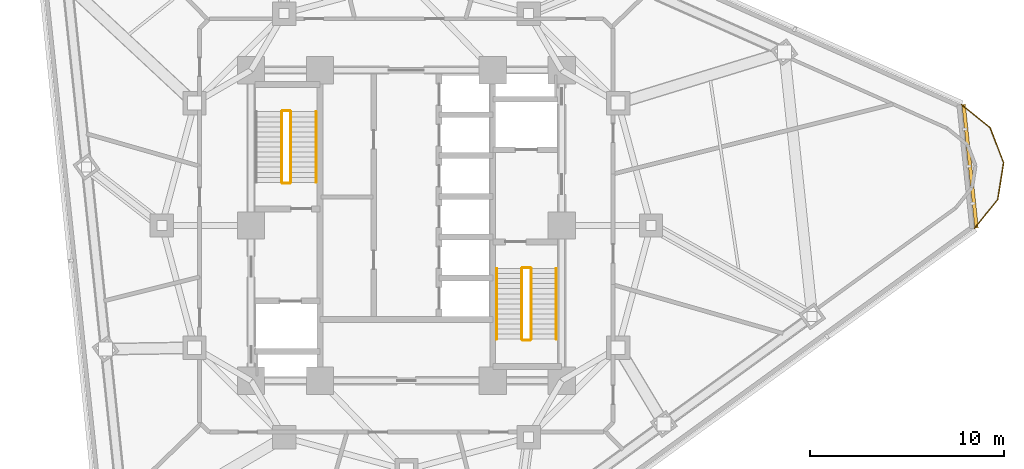
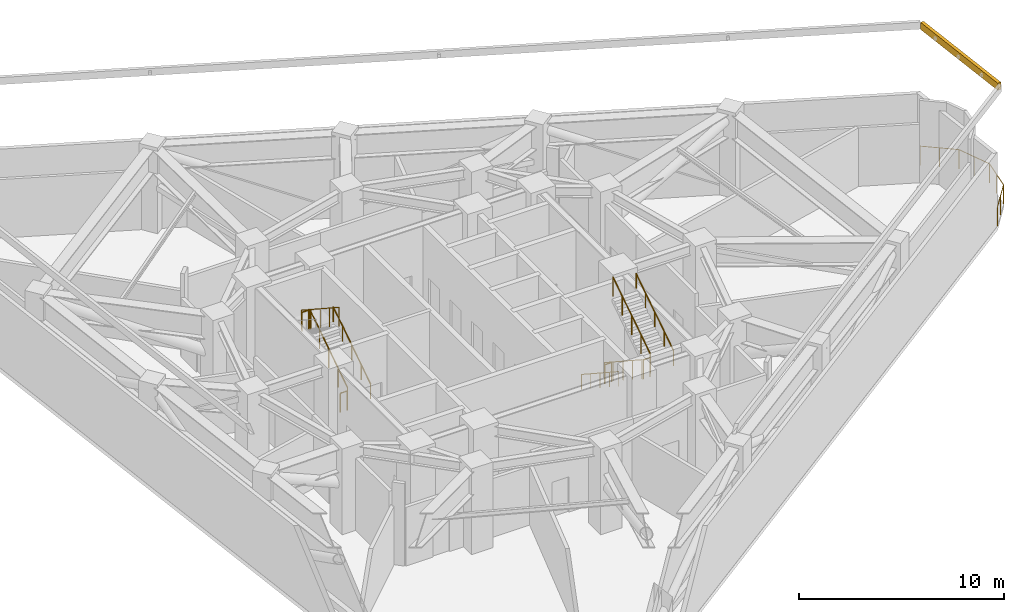
# One storey, part 9 of 10: 12 railings, 1 shading device.
"""IFC4 building model written with IfcOpenShell, lengths in metres."""

from ifc_helpers import new_model, si_unit, direction, frame, origin, origin_2d, place, context, subcontext, project, spatial, rectangle, circle, extrude, material, layer, layer_set, type_object, element, save


model = new_model("IFC4")

# Units and contexts
model_context = context("Model", 3, precision=1e-05, world=origin(), true_north=direction((0.0, 1.0)))
body_context = subcontext(model_context, "Body", "Model", "MODEL_VIEW")
ifc_project = project(units=[si_unit("LENGTHUNIT", "METRE"), si_unit("AREAUNIT", "SQUARE_METRE"), si_unit("VOLUMEUNIT", "CUBIC_METRE"), si_unit("PLANEANGLEUNIT", "RADIAN"), si_unit("MASSUNIT", "GRAM", prefix="KILO")], contexts=[model_context])

# Site, building, storey
site_placement = place(None, origin())
site = spatial("IfcSite", under=ifc_project, at=site_placement, CompositionType="ELEMENT")
building_placement = place(site_placement, origin())
building = spatial("IfcBuilding", under=site, at=building_placement, Name="Terralouvre Media Tower", CompositionType="ELEMENT")
storey_placement = place(building_placement, frame((0.0, 0.0, 149.5)))
storey = spatial("IfcBuildingStorey", under=building, at=storey_placement, Name="L38", CompositionType="ELEMENT", Elevation=149.5)

# Shading device
ifc_material_1 = material(Name="Extruded terracotta baguette sunshade louvres", Category="masonry")
shading_device_type = type_object("IfcShadingDeviceType", Name="Refuge Plant Acoustic Terracotta Louvre Grill TB-LV2", PredefinedType="JALOUSIE", material=ifc_material_1)
shading_device_placement = place(storey_placement, frame((29.041015625, 3.05224609375, 8.05810546875), z_axis=(0.0, 0.0, 1.0), x_axis=(-0.10452850319, 0.994521891172, 0.0)))
element("IfcShadingDevice", 1, at=shading_device_placement, inside=storey, type_object=shading_device_type, Name="CW-L38-C1 Refuge Acoustic Terracotta Louvre", PredefinedType="JALOUSIE", context=body_context, shape_type="SweptSolid", body=[
    extrude(rectangle(XDim=6.40869140625, YDim=0.179931640625, at=origin_2d()), origin(), (0.0, 0.0, 1.0), 0.419921875),
])

# Railings
ifc_material_2 = material(Name="Stainless steel 316 handrail and balustrade", Category="steel")
ifc_layer_1 = layer(ifc_material_2, 0.06005859375, Name="Roof Edge Safety Guardrail GR-ROOF1")
ifc_layer_set_1 = layer_set([ifc_layer_1], Name="Stainless steel 316 handrail and balustrade")
railing_type_1 = type_object("IfcRailingType", Name="Roof Edge Safety Guardrail GR-ROOF1", PredefinedType="GUARDRAIL", material=ifc_layer_set_1)
railing_1_placement = place(storey_placement, frame((29.261474609375, -0.144775390625, 0.0)))
element("IfcRailing", 2, at=railing_1_placement, inside=storey, type_object=railing_type_1, Name="L38 Wind-Corner Perimeter Safety Guardrail C1", PredefinedType="GUARDRAIL", context=body_context, shape_type="SweptSolid", body=[
    extrude(circle(Radius=0.02099609375, at=origin_2d()), frame((0.0, 0.0, 1.12890625), z_axis=(0.629487951206, 0.777010244004, 0.0), x_axis=(-0.777010244004, 0.629487951206, 0.0)), (0.0, 0.0, 1.0), 1.914794921875),
    extrude(circle(Radius=0.02099609375, at=origin_2d()), frame((1.205322265625, 1.48779296875, 1.12890625), z_axis=(0.156493053434, 0.987679059324, 0.0), x_axis=(-0.987679059324, 0.156493053434, 0.0)), (0.0, 0.0, 1.0), 1.914306640625),
    extrude(circle(Radius=0.02099609375, at=origin_2d()), frame((1.5048828125, 3.37841796875, 1.12890625), z_axis=(-0.358380762009, 0.933575508152, 0.0), x_axis=(-0.933575508152, -0.358380762009, 0.0)), (0.0, 0.0, 1.0), 1.914306640625),
    extrude(circle(Radius=0.02099609375, at=origin_2d()), frame((0.81884765625, 5.16552734375, 1.12890625), z_axis=(-0.777298317119, 0.629132200896, 0.0), x_axis=(-0.629132200896, -0.777298317119, 0.0)), (0.0, 0.0, 1.0), 1.914794921875),
    extrude(circle(Radius=0.01904296875, at=origin_2d()), origin(), (0.0, 0.0, 1.0), 1.10791015625),
    extrude(circle(Radius=0.01904296875, at=origin_2d()), frame((0.6025390625, 0.743896484375, 0.0)), (0.0, 0.0, 1.0), 1.10791015625),
    extrude(circle(Radius=0.01904296875, at=origin_2d()), frame((1.205322265625, 1.48779296875, 0.0)), (0.0, 0.0, 1.0), 1.10791015625),
    extrude(circle(Radius=0.01904296875, at=origin_2d()), frame((1.35498046875, 2.43310546875, 0.0)), (0.0, 0.0, 1.0), 1.10791015625),
    extrude(circle(Radius=0.01904296875, at=origin_2d()), frame((1.5048828125, 3.37841796875, 0.0)), (0.0, 0.0, 1.0), 1.10791015625),
    extrude(circle(Radius=0.01904296875, at=origin_2d()), frame((1.161865234375, 4.27197265625, 0.0)), (0.0, 0.0, 1.0), 1.10791015625),
    extrude(circle(Radius=0.01904296875, at=origin_2d()), frame((0.81884765625, 5.16552734375, 0.0)), (0.0, 0.0, 1.0), 1.10791015625),
    extrude(circle(Radius=0.01904296875, at=origin_2d()), frame((0.07470703125, 5.767822265625, 0.0)), (0.0, 0.0, 1.0), 1.10791015625),
    extrude(circle(Radius=0.01904296875, at=origin_2d()), frame((-0.66943359375, 6.3701171875, 0.0)), (0.0, 0.0, 1.0), 1.10791015625),
])
ifc_material_3 = material(Name="Stainless steel 316 handrail and balustrade", Category="steel")
ifc_layer_2 = layer(ifc_material_3, 0.050048828125, Name="Stair Flight Wall Handrail HR-INT1")
ifc_layer_set_2 = layer_set([ifc_layer_2], Name="Stainless steel 316 handrail and balustrade")
railing_type_2 = type_object("IfcRailingType", Name="Stair Flight Wall Handrail HR-INT1", PredefinedType="HANDRAIL", material=ifc_layer_set_2)
railing_2_placement = place(storey_placement, frame((-4.64990234375, 2.219970703125, 0.169921875)))
element("IfcRailing", 3, at=railing_2_placement, inside=storey, type_object=railing_type_2, Name="L38 ST-01 stair handrail 1", PredefinedType="HANDRAIL", context=body_context, shape_type="SweptSolid", body=[
    extrude(circle(Radius=0.02392578125, at=origin_2d()), frame((0.0, 0.0, 0.8759765625), z_axis=(0.0, 0.836965658359, 0.547255412699), x_axis=(-1.0, 0.0, 0.0)), (0.0, 0.0, 1.0), 4.34912109375),
    extrude(circle(Radius=0.02099609375, at=origin_2d()), origin(), (0.0, 0.0, 1.0), 0.851806640625),
    extrude(circle(Radius=0.02099609375, at=origin_2d()), frame((0.0, 0.91015625, 0.594970703125)), (0.0, 0.0, 1.0), 0.851806640625),
    extrude(circle(Radius=0.02099609375, at=origin_2d()), frame((0.0, 1.820068359375, 1.18994140625)), (0.0, 0.0, 1.0), 0.851806640625),
    extrude(circle(Radius=0.02099609375, at=origin_2d()), frame((0.0, 2.72998046875, 1.78515625)), (0.0, 0.0, 1.0), 0.851806640625),
    extrude(circle(Radius=0.02099609375, at=origin_2d()), frame((0.0, 3.64013671875, 2.380126953125)), (0.0, 0.0, 1.0), 0.851806640625),
])
railing_3_placement = place(storey_placement, frame((4.64990234375, -2.219970703125, 0.169921875)))
element("IfcRailing", 4, at=railing_3_placement, inside=storey, type_object=railing_type_2, Name="L38 ST-02 stair handrail 1", PredefinedType="HANDRAIL", context=body_context, shape_type="SweptSolid", body=[
    extrude(circle(Radius=0.02392578125, at=origin_2d()), frame((0.0, 0.0, 0.8759765625), z_axis=(0.0, -0.836965658359, 0.547255412699), x_axis=(1.0, 0.0, 0.0)), (0.0, 0.0, 1.0), 4.34912109375),
    extrude(circle(Radius=0.02099609375, at=origin_2d()), origin(), (0.0, 0.0, 1.0), 0.851806640625),
    extrude(circle(Radius=0.02099609375, at=origin_2d()), frame((0.0, -0.91015625, 0.594970703125)), (0.0, 0.0, 1.0), 0.851806640625),
    extrude(circle(Radius=0.02099609375, at=origin_2d()), frame((0.0, -1.820068359375, 1.18994140625)), (0.0, 0.0, 1.0), 0.851806640625),
    extrude(circle(Radius=0.02099609375, at=origin_2d()), frame((0.0, -2.72998046875, 1.78515625)), (0.0, 0.0, 1.0), 0.851806640625),
    extrude(circle(Radius=0.02099609375, at=origin_2d()), frame((0.0, -3.64013671875, 2.380126953125)), (0.0, 0.0, 1.0), 0.851806640625),
])
railing_4_placement = place(storey_placement, frame((7.72998046875, -5.860107421875, 2.719970703125)))
element("IfcRailing", 5, at=railing_4_placement, inside=storey, type_object=railing_type_2, Name="L38 ST-02 stair handrail 2", PredefinedType="HANDRAIL", context=body_context, shape_type="SweptSolid", body=[
    extrude(circle(Radius=0.02392578125, at=origin_2d()), frame((0.0, 0.0, 0.8759765625), z_axis=(0.0, 0.836965658359, 0.547255412699), x_axis=(-1.0, 0.0, 0.0)), (0.0, 0.0, 1.0), 4.34912109375),
    extrude(circle(Radius=0.02099609375, at=origin_2d()), origin(), (0.0, 0.0, 1.0), 0.851806640625),
    extrude(circle(Radius=0.02099609375, at=origin_2d()), frame((0.0, 0.91015625, 0.594970703125)), (0.0, 0.0, 1.0), 0.851806640625),
    extrude(circle(Radius=0.02099609375, at=origin_2d()), frame((0.0, 1.820068359375, 1.18994140625)), (0.0, 0.0, 1.0), 0.851806640625),
    extrude(circle(Radius=0.02099609375, at=origin_2d()), frame((0.0, 2.72998046875, 1.78515625)), (0.0, 0.0, 1.0), 0.851806640625),
    extrude(circle(Radius=0.02099609375, at=origin_2d()), frame((0.0, 3.64013671875, 2.380126953125)), (0.0, 0.0, 1.0), 0.851806640625),
])
ifc_material_4 = material(Name="Stainless steel 316 handrail and balustrade", Category="steel")
ifc_layer_3 = layer(ifc_material_4, 0.050048828125, Name="Stairwell Safety Guardrail GR-INT1")
ifc_layer_set_3 = layer_set([ifc_layer_3], Name="Stainless steel 316 handrail and balustrade")
railing_type_3 = type_object("IfcRailingType", Name="Stairwell Safety Guardrail GR-INT1", PredefinedType="GUARDRAIL", material=ifc_layer_set_3)
railing_5_placement = place(storey_placement, frame((-5.949951171875, 2.219970703125, 0.169921875)))
element("IfcRailing", 6, at=railing_5_placement, inside=storey, type_object=railing_type_3, Name="L38 ST-01 stair guard 1", PredefinedType="GUARDRAIL", context=body_context, shape_type="SweptSolid", body=[
    extrude(circle(Radius=0.02392578125, at=origin_2d()), frame((0.0, 0.0, 1.1259765625), z_axis=(0.0, 0.836965658359, 0.547255412699), x_axis=(-1.0, 0.0, 0.0)), (0.0, 0.0, 1.0), 4.34912109375),
    extrude(circle(Radius=0.02099609375, at=origin_2d()), origin(), (0.0, 0.0, 1.0), 1.101806640625),
    extrude(circle(Radius=0.02099609375, at=origin_2d()), frame((0.0, 0.91015625, 0.594970703125)), (0.0, 0.0, 1.0), 1.101806640625),
    extrude(circle(Radius=0.02099609375, at=origin_2d()), frame((0.0, 1.820068359375, 1.18994140625)), (0.0, 0.0, 1.0), 1.101806640625),
    extrude(circle(Radius=0.02099609375, at=origin_2d()), frame((0.0, 2.72998046875, 1.78515625)), (0.0, 0.0, 1.0), 1.101806640625),
    extrude(circle(Radius=0.02099609375, at=origin_2d()), frame((0.0, 3.64013671875, 2.380126953125)), (0.0, 0.0, 1.0), 1.101806640625),
])
railing_6_placement = place(storey_placement, frame((-6.0, 5.909912109375, 2.550048828125)))
element("IfcRailing", 7, at=railing_6_placement, inside=storey, type_object=railing_type_3, Name="L38 ST-01 stair guard 2", PredefinedType="GUARDRAIL", context=body_context, shape_type="SweptSolid", body=[
    extrude(circle(Radius=0.02392578125, at=origin_2d()), frame((0.0, 0.0, 1.1259765625), z_axis=(-1.0, 0.0, 0.0), x_axis=(0.0, -1.0, 0.0)), (0.0, 0.0, 1.0), 0.3798828125),
    extrude(circle(Radius=0.02099609375, at=origin_2d()), origin(), (0.0, 0.0, 1.0), 1.101806640625),
    extrude(circle(Radius=0.02099609375, at=origin_2d()), frame((-0.3798828125, 0.0, 0.0)), (0.0, 0.0, 1.0), 1.101806640625),
])
railing_7_placement = place(storey_placement, frame((-6.429931640625, 5.860107421875, 2.719970703125)))
element("IfcRailing", 8, at=railing_7_placement, inside=storey, type_object=railing_type_3, Name="L38 ST-01 stair guard 3", PredefinedType="GUARDRAIL", context=body_context, shape_type="SweptSolid", body=[
    extrude(circle(Radius=0.02392578125, at=origin_2d()), frame((0.0, 0.0, 1.1259765625), z_axis=(0.0, -0.836965658359, 0.547255412699), x_axis=(1.0, 0.0, 0.0)), (0.0, 0.0, 1.0), 4.34912109375),
    extrude(circle(Radius=0.02099609375, at=origin_2d()), origin(), (0.0, 0.0, 1.0), 1.101806640625),
    extrude(circle(Radius=0.02099609375, at=origin_2d()), frame((0.0, -0.91015625, 0.594970703125)), (0.0, 0.0, 1.0), 1.101806640625),
    extrude(circle(Radius=0.02099609375, at=origin_2d()), frame((0.0, -1.820068359375, 1.18994140625)), (0.0, 0.0, 1.0), 1.101806640625),
    extrude(circle(Radius=0.02099609375, at=origin_2d()), frame((0.0, -2.72998046875, 1.78515625)), (0.0, 0.0, 1.0), 1.101806640625),
    extrude(circle(Radius=0.02099609375, at=origin_2d()), frame((0.0, -3.64013671875, 2.380126953125)), (0.0, 0.0, 1.0), 1.101806640625),
])
railing_8_placement = place(storey_placement, frame((-6.0, 2.169921875, 0.0)))
element("IfcRailing", 9, at=railing_8_placement, inside=storey, type_object=railing_type_3, Name="L38 ST-01 stair guard 4", PredefinedType="GUARDRAIL", context=body_context, shape_type="SweptSolid", body=[
    extrude(circle(Radius=0.02392578125, at=origin_2d()), frame((0.0, 0.0, 1.1259765625), z_axis=(-1.0, 0.0, 0.0), x_axis=(0.0, -1.0, 0.0)), (0.0, 0.0, 1.0), 0.3798828125),
    extrude(circle(Radius=0.02099609375, at=origin_2d()), origin(), (0.0, 0.0, 1.0), 1.101806640625),
    extrude(circle(Radius=0.02099609375, at=origin_2d()), frame((-0.3798828125, 0.0, 0.0)), (0.0, 0.0, 1.0), 1.101806640625),
])
railing_9_placement = place(storey_placement, frame((5.949951171875, -2.219970703125, 0.169921875)))
element("IfcRailing", 10, at=railing_9_placement, inside=storey, type_object=railing_type_3, Name="L38 ST-02 stair guard 1", PredefinedType="GUARDRAIL", context=body_context, shape_type="SweptSolid", body=[
    extrude(circle(Radius=0.02392578125, at=origin_2d()), frame((0.0, 0.0, 1.1259765625), z_axis=(0.0, -0.836965658359, 0.547255412699), x_axis=(1.0, 0.0, 0.0)), (0.0, 0.0, 1.0), 4.34912109375),
    extrude(circle(Radius=0.02099609375, at=origin_2d()), origin(), (0.0, 0.0, 1.0), 1.101806640625),
    extrude(circle(Radius=0.02099609375, at=origin_2d()), frame((0.0, -0.91015625, 0.594970703125)), (0.0, 0.0, 1.0), 1.101806640625),
    extrude(circle(Radius=0.02099609375, at=origin_2d()), frame((0.0, -1.820068359375, 1.18994140625)), (0.0, 0.0, 1.0), 1.101806640625),
    extrude(circle(Radius=0.02099609375, at=origin_2d()), frame((0.0, -2.72998046875, 1.78515625)), (0.0, 0.0, 1.0), 1.101806640625),
    extrude(circle(Radius=0.02099609375, at=origin_2d()), frame((0.0, -3.64013671875, 2.380126953125)), (0.0, 0.0, 1.0), 1.101806640625),
])
railing_10_placement = place(storey_placement, frame((6.0, -5.909912109375, 2.550048828125)))
element("IfcRailing", 11, at=railing_10_placement, inside=storey, type_object=railing_type_3, Name="L38 ST-02 stair guard 2", PredefinedType="GUARDRAIL", context=body_context, shape_type="SweptSolid", body=[
    extrude(circle(Radius=0.02392578125, at=origin_2d()), frame((0.0, 0.0, 1.1259765625), z_axis=(1.0, 0.0, 0.0), x_axis=(0.0, 1.0, 0.0)), (0.0, 0.0, 1.0), 0.3798828125),
    extrude(circle(Radius=0.02099609375, at=origin_2d()), origin(), (0.0, 0.0, 1.0), 1.101806640625),
    extrude(circle(Radius=0.02099609375, at=origin_2d()), frame((0.3798828125, 0.0, 0.0)), (0.0, 0.0, 1.0), 1.101806640625),
])
railing_11_placement = place(storey_placement, frame((6.429931640625, -5.860107421875, 2.719970703125)))
element("IfcRailing", 12, at=railing_11_placement, inside=storey, type_object=railing_type_3, Name="L38 ST-02 stair guard 3", PredefinedType="GUARDRAIL", context=body_context, shape_type="SweptSolid", body=[
    extrude(circle(Radius=0.02392578125, at=origin_2d()), frame((0.0, 0.0, 1.1259765625), z_axis=(0.0, 0.836965658359, 0.547255412699), x_axis=(-1.0, 0.0, 0.0)), (0.0, 0.0, 1.0), 4.34912109375),
    extrude(circle(Radius=0.02099609375, at=origin_2d()), origin(), (0.0, 0.0, 1.0), 1.101806640625),
    extrude(circle(Radius=0.02099609375, at=origin_2d()), frame((0.0, 0.91015625, 0.594970703125)), (0.0, 0.0, 1.0), 1.101806640625),
    extrude(circle(Radius=0.02099609375, at=origin_2d()), frame((0.0, 1.820068359375, 1.18994140625)), (0.0, 0.0, 1.0), 1.101806640625),
    extrude(circle(Radius=0.02099609375, at=origin_2d()), frame((0.0, 2.72998046875, 1.78515625)), (0.0, 0.0, 1.0), 1.101806640625),
    extrude(circle(Radius=0.02099609375, at=origin_2d()), frame((0.0, 3.64013671875, 2.380126953125)), (0.0, 0.0, 1.0), 1.101806640625),
])
railing_12_placement = place(storey_placement, frame((6.0, -2.169921875, 0.0)))
element("IfcRailing", 13, at=railing_12_placement, inside=storey, type_object=railing_type_3, Name="L38 ST-02 stair guard 4", PredefinedType="GUARDRAIL", context=body_context, shape_type="SweptSolid", body=[
    extrude(circle(Radius=0.02392578125, at=origin_2d()), frame((0.0, 0.0, 1.1259765625), z_axis=(1.0, 0.0, 0.0), x_axis=(0.0, 1.0, 0.0)), (0.0, 0.0, 1.0), 0.3798828125),
    extrude(circle(Radius=0.02099609375, at=origin_2d()), origin(), (0.0, 0.0, 1.0), 1.101806640625),
    extrude(circle(Radius=0.02099609375, at=origin_2d()), frame((0.3798828125, 0.0, 0.0)), (0.0, 0.0, 1.0), 1.101806640625),
])

save(model, "model.ifc")
